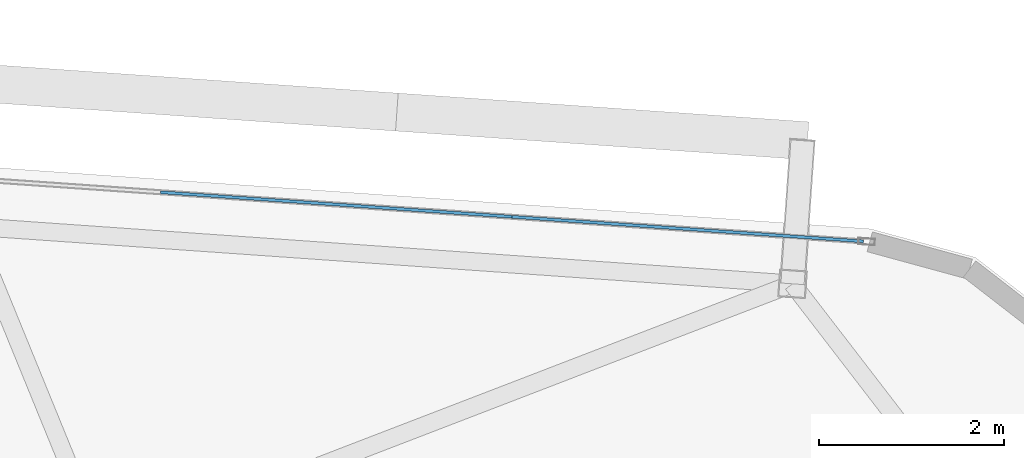
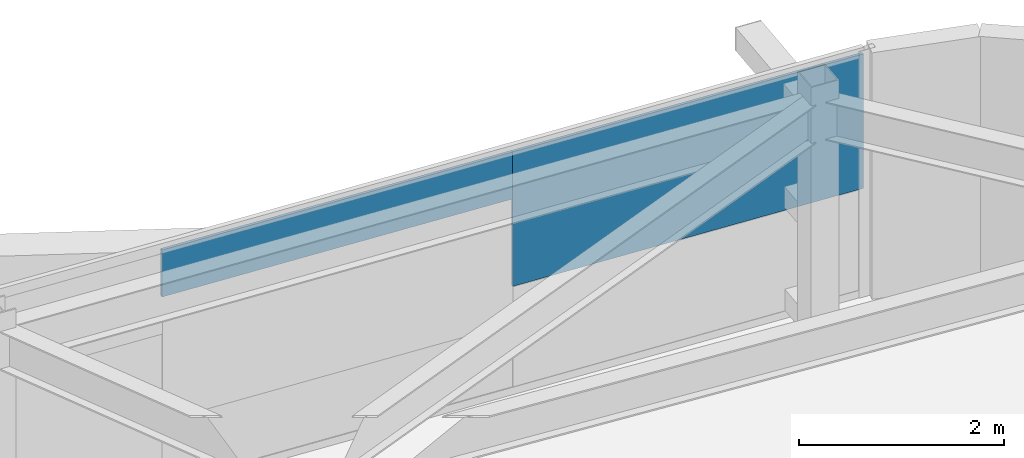
# One storey, part 26 of 39: 2 plates, 1 element without a shape of its own.
"""IFC4 building model written with IfcOpenShell, lengths in metres."""

from ifc_helpers import new_model, si_unit, direction, frame, origin, origin_2d, place, context, subcontext, project, spatial, rectangle, extrude, source, transform, mapped, material, layer, layer_set, type_object, element, aggregate, save


model = new_model("IFC4")

# Units and contexts
model_context = context("Model", 3, precision=1e-05, world=origin(), true_north=direction((0.0, 1.0)))
body_context = subcontext(model_context, "Body", "Model", "MODEL_VIEW")
ifc_project = project(units=[si_unit("LENGTHUNIT", "METRE"), si_unit("AREAUNIT", "SQUARE_METRE"), si_unit("VOLUMEUNIT", "CUBIC_METRE"), si_unit("PLANEANGLEUNIT", "RADIAN"), si_unit("MASSUNIT", "GRAM", prefix="KILO")], contexts=[model_context])

# Site, building, storey
site_placement = place(None, origin())
site = spatial("IfcSite", under=ifc_project, at=site_placement, CompositionType="ELEMENT")
building_placement = place(site_placement, origin())
building = spatial("IfcBuilding", under=site, at=building_placement, Name="Taldren Reach Tower", CompositionType="ELEMENT")
storey_placement = place(building_placement, frame((0.0, 0.0, 129.85009765625)))
storey = spatial("IfcBuildingStorey", under=building, at=storey_placement, Name="L39", CompositionType="ELEMENT", Elevation=129.85009765625)

# Curtain wall, plates
ifc_material_1 = material(Name="Aluminium and Low-E Glass Unitised System", Category="aluminium")
ifc_layer_1 = layer(ifc_material_1, 0.159912109375)
ifc_layer_set_1 = layer_set([ifc_layer_1], Name="Aluminium and Low-E Glass Unitised System")
curtain_wall_type = type_object("IfcCurtainWallType", Name="CW-SYS-4", PredefinedType="NOTDEFINED", material=ifc_layer_set_1)
curtain_wall_placement = place(storey_placement, origin())
curtain_wall = element("IfcCurtainWall", 1, at=curtain_wall_placement, inside=storey, type_object=curtain_wall_type, Name="Unitised curtain wall CW-L39-N", PredefinedType="NOTDEFINED")
ifc_material_2 = material(Name="Solar-Control Double Glazed IGU", Category="glass")
ifc_layer_2 = layer(ifc_material_2, 0.031982421875)
ifc_layer_set_2 = layer_set([ifc_layer_2], Name="Solar-Control Double Glazed IGU")
plate_type = type_object("IfcPlateType", Name="CW-PNL-IGU32", PredefinedType="CURTAIN_PANEL", material=ifc_layer_set_2)
shared_shape_1 = source(origin(), body_context, "Body", "SweptSolid", [
    extrude(rectangle(XDim=3.79833984375, YDim=0.031982421875, at=origin_2d()), origin(), (0.0, 0.0, 1.0), 1.597900390625),
])
plate_1_placement = place(storey_placement, frame((57.3056640625, 35.451904296875, 1.27685546875), z_axis=(0.0, 0.0, 1.0), x_axis=(-0.99756404731, 0.06975651593, 0.0)))
plate_1 = element("IfcPlate", 2, at=plate_1_placement, type_object=plate_type, Name="CW-4 panel 1.1 part 1", PredefinedType="CURTAIN_PANEL", context=body_context, shape_type="MappedRepresentation", body=[
    mapped(shared_shape_1, transform((0.0, 0.0, 0.0), scale=1.0)),
])
shared_shape_2 = source(origin(), body_context, "Body", "SweptSolid", [
    extrude(rectangle(XDim=3.79833984375, YDim=0.031982421875, at=origin_2d()), origin(), (0.0, 0.0, 1.0), 0.558349609375),
])
plate_2_placement = place(storey_placement, frame((53.5166015625, 35.716796875, 2.31640625), z_axis=(0.0, 0.0, 1.0), x_axis=(-0.99756404731, 0.06975651593, 0.0)))
plate_2 = element("IfcPlate", 3, at=plate_2_placement, type_object=plate_type, Name="CW-4 panel 1.1 part 3", PredefinedType="CURTAIN_PANEL", context=body_context, shape_type="MappedRepresentation", body=[
    mapped(shared_shape_2, transform((0.0, 0.0, 0.0), scale=1.0)),
])
aggregate(curtain_wall, [plate_1, plate_2])

save(model, "model.ifc")
